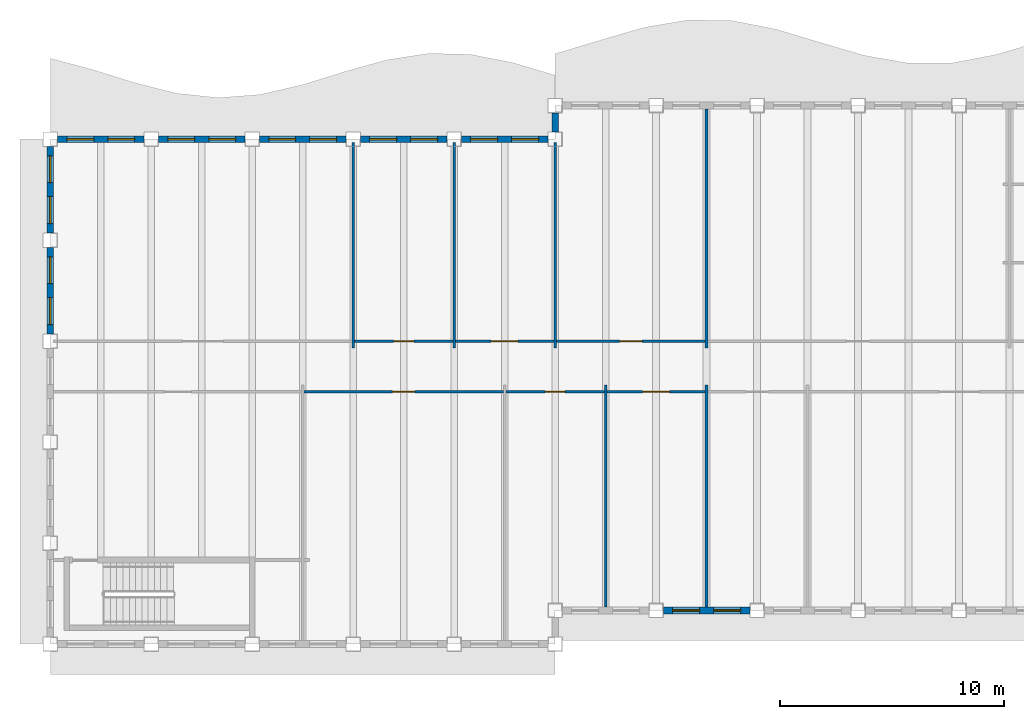
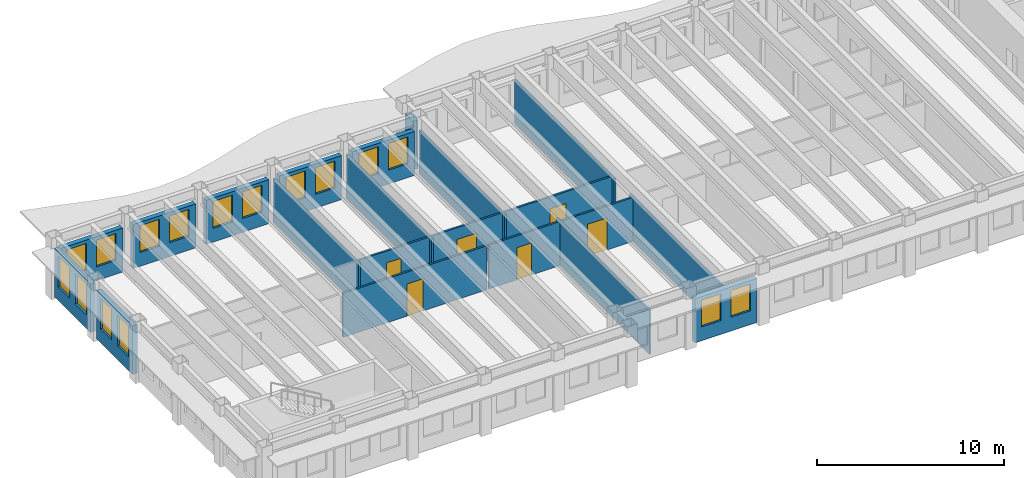
# One storey, part 3 of 12: 21 walls, 16 windows, 6 doors, 22 openings.
"""IFC4 building model written with IfcOpenShell, lengths in metres."""

from ifc_helpers import new_model, si_unit, direction, frame, frame_2d, origin, place, context, subcontext, project, spatial, rectangle, extrude, material, layer, layer_set, type_object, element, fill, save


model = new_model("IFC4")

# Units and contexts
model_context = context("Model", 3, precision=1e-05, world=origin(), true_north=direction((0.0, 1.0)))
body_context = subcontext(model_context, "Body", "Model", "MODEL_VIEW")
ifc_project = project(units=[si_unit("LENGTHUNIT", "METRE"), si_unit("AREAUNIT", "SQUARE_METRE"), si_unit("VOLUMEUNIT", "CUBIC_METRE"), si_unit("PLANEANGLEUNIT", "RADIAN"), si_unit("MASSUNIT", "GRAM", prefix="KILO")], contexts=[model_context])

# Site, building, storey
site_placement = place(None, origin())
site = spatial("IfcSite", under=ifc_project, at=site_placement, CompositionType="ELEMENT")
building_placement = place(site_placement, origin())
building = spatial("IfcBuilding", under=site, at=building_placement, Name="Sennacour Bend Tower", CompositionType="ELEMENT")
storey_placement = place(building_placement, frame((0.0, 0.0, 261.0)))
storey = spatial("IfcBuildingStorey", under=building, at=storey_placement, Name="L60", CompositionType="ELEMENT", Elevation=261.0)

# Walls
ifc_material_1 = material(Name="Plasterboard partition on steel studs", Category="steel")
ifc_layer_1 = layer(ifc_material_1, 0.1201171875, Name="Plasterboard partition on steel studs", Category="steel")
ifc_layer_set_1 = layer_set([ifc_layer_1], Name="Plasterboard partition on steel studs")
wall_type_1 = type_object("IfcWallType", Name="Partition 120", PredefinedType="PARTITIONING", material=ifc_layer_set_1)
for number, where, z_axis, x_axis, name in (
    (1, (13.5, 13.199951171875, 0.0), (0.0, 0.0, 1.0), (0.0, 1.0, 0.0), "P-L60-W005a"),
    (2, (18.0, 13.199951171875, 0.0), (0.0, 0.0, 1.0), (0.0, 1.0, 0.0), "P-L60-W006a"),
    (3, (22.5, 13.199951171875, 0.0), (0.0, 0.0, 1.0), (0.0, 1.0, 0.0), "P-L60-W008a"),
):
    element("IfcWall", number, at=place(storey_placement, frame(where, z_axis=z_axis, x_axis=x_axis)), inside=storey, type_object=wall_type_1, Name=name, PredefinedType="PARTITIONING", context=body_context, shape_type="SweptSolid", body=[
        extrude(rectangle(XDim=9.150146484375, YDim=0.1201171875, at=frame_2d((4.5751953125, 0.0))), origin(), (0.0, 0.0, 1.0), 2.8701171875),
    ])
for number, where, z_axis, x_axis, name in (
    (4, (24.75, 1.64990234375, 0.0), (0.0, 0.0, 1.0), (0.0, 1.0, 0.0), "P-L60-W009a"),
    (5, (29.25, 1.64990234375, 0.0), (0.0, 0.0, 1.0), (0.0, 1.0, 0.0), "P-L60-W010a"),
):
    element("IfcWall", number, at=place(storey_placement, frame(where, z_axis=z_axis, x_axis=x_axis)), inside=storey, type_object=wall_type_1, Name=name, PredefinedType="PARTITIONING", context=body_context, shape_type="SweptSolid", body=[
        extrude(rectangle(XDim=9.900146484375, YDim=0.1201171875, at=frame_2d((4.9501953125, 0.0))), origin(), (0.0, 0.0, 1.0), 2.8701171875),
    ])
wall_1_placement = place(storey_placement, frame((29.25, 13.199951171875, 0.0), z_axis=(0.0, 0.0, 1.0), x_axis=(0.0, 1.0, 0.0)))
element("IfcWall", 6, at=wall_1_placement, inside=storey, type_object=wall_type_1, Name="P-L60-W011a", PredefinedType="PARTITIONING", context=body_context, shape_type="SweptSolid", body=[
    extrude(rectangle(XDim=10.650146484375, YDim=0.1201171875, at=frame_2d((5.3251953125, 0.0))), origin(), (0.0, 0.0, 1.0), 2.8701171875),
])

# Wall, opening, door
wall_2_placement = place(storey_placement, frame((11.31005859375, 11.25, 0.0), z_axis=(0.0, 0.0, 1.0), x_axis=(1.0, 0.0, 0.0)))
wall_2 = element("IfcWall", 7, at=wall_2_placement, inside=storey, type_object=wall_type_1, Name="P-L60-W039ab", PredefinedType="PARTITIONING", context=body_context, shape_type="SweptSolid", body=[
    extrude(rectangle(XDim=8.8798828125, YDim=0.1201171875, at=frame_2d((4.43994140625, 0.0))), origin(), (0.0, 0.0, 1.0), 2.8701171875),
])
opening_1_placement = place(wall_2_placement, frame((3.93994140625, 0.0, 0.0)))
opening_1 = element("IfcOpeningElement", 8, at=opening_1_placement, cuts=wall_2, Name="Opening OD2", PredefinedType="OPENING", context=body_context, shape_type="SweptSolid", body=[
    extrude(rectangle(XDim=1.0, YDim=2.10009765625, at=frame_2d((0.5, 1.050048828125))), frame((0.0, 0.070068359375, 0.0), z_axis=(0.0, -1.0, 0.0), x_axis=(1.0, 0.0, 0.0)), (0.0, 0.0, 1.0), 0.14013671875),
])
ifc_material_2 = material(Name="Timber", Category="wood")
door_type_1 = type_object("IfcDoorType", Name="DR-OFFICE-1000", OperationType="NOTDEFINED", PredefinedType="DOOR", material=ifc_material_2)
door_1_placement = place(opening_1_placement, origin())
door_1 = element("IfcDoor", 9, at=door_1_placement, inside=storey, type_object=door_type_1, Name="Door", OperationType="SINGLE_SWING_LEFT", OverallHeight=2.10009765625, OverallWidth=1.0, PredefinedType="DOOR", context=body_context, shape_type="SweptSolid", body=[
    extrude(rectangle(XDim=1.0, YDim=2.10009765625, at=frame_2d((0.5, 1.050048828125))), frame((0.0, 0.02490234375, 0.0), z_axis=(0.0, -1.0, 0.0), x_axis=(1.0, 0.0, 0.0)), (0.0, 0.0, 1.0), 0.050048828125),
])
fill(opening_1, door_1)

wall_3_placement = place(storey_placement, frame((24.81005859375, 11.25, 0.0), z_axis=(0.0, 0.0, 1.0), x_axis=(1.0, 0.0, 0.0)))
wall_3 = element("IfcWall", 10, at=wall_3_placement, inside=storey, type_object=wall_type_1, Name="P-L60-W039ad", PredefinedType="PARTITIONING", context=body_context, shape_type="SweptSolid", body=[
    extrude(rectangle(XDim=4.3798828125, YDim=0.1201171875, at=frame_2d((2.18994140625, 0.0))), origin(), (0.0, 0.0, 1.0), 2.8701171875),
])
opening_2_placement = place(wall_3_placement, frame((1.58984375, 0.0, 0.0)))
opening_2 = element("IfcOpeningElement", 11, at=opening_2_placement, cuts=wall_3, Name="Opening OD", PredefinedType="OPENING", context=body_context, shape_type="SweptSolid", body=[
    extrude(rectangle(XDim=1.199951171875, YDim=2.10009765625, at=frame_2d((0.60009765625, 1.050048828125))), frame((0.0, 0.070068359375, 0.0), z_axis=(0.0, -1.0, 0.0), x_axis=(1.0, 0.0, 0.0)), (0.0, 0.0, 1.0), 0.14013671875),
])
door_type_2 = type_object("IfcDoorType", Name="DR-OFFICE-1200", OperationType="NOTDEFINED", PredefinedType="DOOR", material=ifc_material_2)
door_2_placement = place(opening_2_placement, origin())
door_2 = element("IfcDoor", 12, at=door_2_placement, inside=storey, type_object=door_type_2, Name="Door", OperationType="SINGLE_SWING_LEFT", OverallHeight=2.10009765625, OverallWidth=1.199951171875, PredefinedType="DOOR", context=body_context, shape_type="SweptSolid", body=[
    extrude(rectangle(XDim=1.199951171875, YDim=2.10009765625, at=frame_2d((0.60009765625, 1.050048828125))), frame((0.0, 0.02490234375, 0.0), z_axis=(0.0, -1.0, 0.0), x_axis=(1.0, 0.0, 0.0)), (0.0, 0.0, 1.0), 0.050048828125),
])
fill(opening_2, door_2)

wall_4_placement = place(storey_placement, frame((18.06005859375, 13.5, 0.0), z_axis=(0.0, 0.0, 1.0), x_axis=(1.0, 0.0, 0.0)))
wall_4 = element("IfcWall", 13, at=wall_4_placement, inside=storey, type_object=wall_type_1, Name="P-L60-W041ac", PredefinedType="PARTITIONING", context=body_context, shape_type="SweptSolid", body=[
    extrude(rectangle(XDim=4.3798828125, YDim=0.1201171875, at=frame_2d((2.18994140625, 0.0))), origin(), (0.0, 0.0, 1.0), 2.8701171875),
])
opening_3_placement = place(wall_4_placement, frame((1.58984375, 0.0, 0.0)))
opening_3 = element("IfcOpeningElement", 14, at=opening_3_placement, cuts=wall_4, Name="Opening OD", PredefinedType="OPENING", context=body_context, shape_type="SweptSolid", body=[
    extrude(rectangle(XDim=1.199951171875, YDim=2.10009765625, at=frame_2d((0.60009765625, 1.050048828125))), frame((0.0, 0.070068359375, 0.0), z_axis=(0.0, -1.0, 0.0), x_axis=(1.0, 0.0, 0.0)), (0.0, 0.0, 1.0), 0.14013671875),
])
door_3_placement = place(opening_3_placement, origin())
door_3 = element("IfcDoor", 15, at=door_3_placement, inside=storey, type_object=door_type_2, Name="Door", OperationType="SINGLE_SWING_LEFT", OverallHeight=2.10009765625, OverallWidth=1.199951171875, PredefinedType="DOOR", context=body_context, shape_type="SweptSolid", body=[
    extrude(rectangle(XDim=1.199951171875, YDim=2.10009765625, at=frame_2d((0.60009765625, 1.050048828125))), frame((0.0, 0.02490234375, 0.0), z_axis=(0.0, -1.0, 0.0), x_axis=(1.0, 0.0, 0.0)), (0.0, 0.0, 1.0), 0.050048828125),
])
fill(opening_3, door_3)

wall_5_placement = place(storey_placement, frame((22.56005859375, 13.5, 0.0), z_axis=(0.0, 0.0, 1.0), x_axis=(1.0, 0.0, 0.0)))
wall_5 = element("IfcWall", 16, at=wall_5_placement, inside=storey, type_object=wall_type_1, Name="P-L60-W041ad", PredefinedType="PARTITIONING", context=body_context, shape_type="SweptSolid", body=[
    extrude(rectangle(XDim=6.6298828125, YDim=0.1201171875, at=frame_2d((3.31494140625, 0.0))), origin(), (0.0, 0.0, 1.0), 2.8701171875),
])
opening_4_placement = place(wall_5_placement, frame((2.81494140625, 0.0, 0.0)))
opening_4 = element("IfcOpeningElement", 17, at=opening_4_placement, cuts=wall_5, Name="Opening OD2", PredefinedType="OPENING", context=body_context, shape_type="SweptSolid", body=[
    extrude(rectangle(XDim=1.0, YDim=2.10009765625, at=frame_2d((0.5, 1.050048828125))), frame((0.0, 0.070068359375, 0.0), z_axis=(0.0, -1.0, 0.0), x_axis=(1.0, 0.0, 0.0)), (0.0, 0.0, 1.0), 0.14013671875),
])
door_4_placement = place(opening_4_placement, origin())
door_4 = element("IfcDoor", 18, at=door_4_placement, inside=storey, type_object=door_type_1, Name="Door", OperationType="SINGLE_SWING_LEFT", OverallHeight=2.10009765625, OverallWidth=1.0, PredefinedType="DOOR", context=body_context, shape_type="SweptSolid", body=[
    extrude(rectangle(XDim=1.0, YDim=2.10009765625, at=frame_2d((0.5, 1.050048828125))), frame((0.0, 0.02490234375, 0.0), z_axis=(0.0, -1.0, 0.0), x_axis=(1.0, 0.0, 0.0)), (0.0, 0.0, 1.0), 0.050048828125),
])
fill(opening_4, door_4)

ifc_layer_2 = layer(ifc_material_1, 0.1201171875, Name="Plasterboard partition on steel studs", Category="steel")
ifc_layer_set_2 = layer_set([ifc_layer_2], Name="Plasterboard partition on steel studs")
wall_type_2 = type_object("IfcWallType", Name="Partition 120 EI 60", PredefinedType="PARTITIONING", material=ifc_layer_set_2)
wall_6_placement = place(storey_placement, frame((20.31005859375, 11.25, 0.0), z_axis=(0.0, 0.0, 1.0), x_axis=(1.0, 0.0, 0.0)))
wall_6 = element("IfcWall", 19, at=wall_6_placement, inside=storey, type_object=wall_type_2, Name="P-L60-W039ac", PredefinedType="PARTITIONING", context=body_context, shape_type="SweptSolid", body=[
    extrude(rectangle(XDim=4.3798828125, YDim=0.1201171875, at=frame_2d((2.18994140625, 0.0))), origin(), (0.0, 0.0, 1.0), 2.8701171875),
])
opening_5_placement = place(wall_6_placement, frame((1.739990234375, 0.0, 0.0)))
opening_5 = element("IfcOpeningElement", 20, at=opening_5_placement, cuts=wall_6, Name="Opening SV", PredefinedType="OPENING", context=body_context, shape_type="SweptSolid", body=[
    extrude(rectangle(XDim=0.89990234375, YDim=2.10009765625, at=frame_2d((0.449951171875, 1.050048828125))), frame((0.0, 0.070068359375, 0.0), z_axis=(0.0, -1.0, 0.0), x_axis=(1.0, 0.0, 0.0)), (0.0, 0.0, 1.0), 0.14013671875),
])
ifc_material_3 = material(Name="Painted steel", Category="steel")
door_type_3 = type_object("IfcDoorType", Name="DR-SERVICE-900", OperationType="NOTDEFINED", PredefinedType="DOOR", material=ifc_material_3)
door_5_placement = place(opening_5_placement, origin())
door_5 = element("IfcDoor", 21, at=door_5_placement, inside=storey, type_object=door_type_3, Name="Door", OperationType="SINGLE_SWING_LEFT", OverallHeight=2.10009765625, OverallWidth=0.89990234375, PredefinedType="DOOR", context=body_context, shape_type="SweptSolid", body=[
    extrude(rectangle(XDim=0.89990234375, YDim=2.10009765625, at=frame_2d((0.449951171875, 1.050048828125))), frame((0.0, 0.02490234375, 0.0), z_axis=(0.0, -1.0, 0.0), x_axis=(1.0, 0.0, 0.0)), (0.0, 0.0, 1.0), 0.050048828125),
])
fill(opening_5, door_5)

wall_7_placement = place(storey_placement, frame((13.56005859375, 13.5, 0.0), z_axis=(0.0, 0.0, 1.0), x_axis=(1.0, 0.0, 0.0)))
wall_7 = element("IfcWall", 22, at=wall_7_placement, inside=storey, type_object=wall_type_2, Name="P-L60-W041ab", PredefinedType="PARTITIONING", context=body_context, shape_type="SweptSolid", body=[
    extrude(rectangle(XDim=4.3798828125, YDim=0.1201171875, at=frame_2d((2.18994140625, 0.0))), origin(), (0.0, 0.0, 1.0), 2.8701171875),
])
opening_6_placement = place(wall_7_placement, frame((1.739990234375, 0.0, 0.0)))
opening_6 = element("IfcOpeningElement", 23, at=opening_6_placement, cuts=wall_7, Name="Opening SV", PredefinedType="OPENING", context=body_context, shape_type="SweptSolid", body=[
    extrude(rectangle(XDim=0.89990234375, YDim=2.10009765625, at=frame_2d((0.449951171875, 1.050048828125))), frame((0.0, 0.070068359375, 0.0), z_axis=(0.0, -1.0, 0.0), x_axis=(1.0, 0.0, 0.0)), (0.0, 0.0, 1.0), 0.14013671875),
])
door_6_placement = place(opening_6_placement, origin())
door_6 = element("IfcDoor", 24, at=door_6_placement, inside=storey, type_object=door_type_3, Name="Door", OperationType="SINGLE_SWING_LEFT", OverallHeight=2.10009765625, OverallWidth=0.89990234375, PredefinedType="DOOR", context=body_context, shape_type="SweptSolid", body=[
    extrude(rectangle(XDim=0.89990234375, YDim=2.10009765625, at=frame_2d((0.449951171875, 1.050048828125))), frame((0.0, 0.02490234375, 0.0), z_axis=(0.0, -1.0, 0.0), x_axis=(1.0, 0.0, 0.0)), (0.0, 0.0, 1.0), 0.050048828125),
])
fill(opening_6, door_6)

# Wall, openings, windows
ifc_material_4 = material(Name="Warm limestone cladding", Category="masonry")
ifc_layer_3 = layer(ifc_material_4, 0.050048828125, Name="Warm limestone cladding", Category="masonry")
ifc_material_5 = material(Name="Precast concrete C40/50", Category="concrete")
ifc_layer_4 = layer(ifc_material_5, 0.25, Name="Precast concrete C40/50", Category="concrete")
ifc_layer_set_3 = layer_set([ifc_layer_3, ifc_layer_4], Name="Precast concrete C40/50 with limestone cladding")
wall_type_3 = type_object("IfcWallType", Name="STONE-CLAD PRECAST SPANDREL 300", PredefinedType="STANDARD", material=ifc_layer_set_3)
wall_8_placement = place(storey_placement, frame((27.324951171875, 1.5, 0.0), z_axis=(0.0, 0.0, 1.0), x_axis=(1.0, 0.0, 0.0)))
wall_8 = element("IfcWall", 25, at=wall_8_placement, inside=storey, type_object=wall_type_3, Name="Stone spandrel and pier wall L60 01.01", PredefinedType="STANDARD", context=body_context, shape_type="SweptSolid", body=[
    extrude(rectangle(XDim=3.85009765625, YDim=0.300048828125, at=frame_2d((1.925048828125, 0.0))), origin(), (0.0, 0.0, 1.0), 2.8701171875),
])
opening_7_placement = place(wall_8_placement, frame((0.41259765625, 0.0, 0.89990234375)))
opening_7 = element("IfcOpeningElement", 26, at=opening_7_placement, cuts=wall_8, Name="Opening W16", PredefinedType="OPENING", context=body_context, shape_type="SweptSolid", body=[
    extrude(rectangle(XDim=1.199951171875, YDim=1.75, at=frame_2d((0.60009765625, 0.875))), frame((0.0, 0.16015625, 0.0), z_axis=(0.0, -1.0, 0.0), x_axis=(1.0, 0.0, 0.0)), (0.0, 0.0, 1.0), 0.320068359375),
])
opening_8_placement = place(wall_8_placement, frame((2.237548828125, 0.0, 0.89990234375)))
opening_8 = element("IfcOpeningElement", 27, at=opening_8_placement, cuts=wall_8, Name="Opening W16", PredefinedType="OPENING", context=body_context, shape_type="SweptSolid", body=[
    extrude(rectangle(XDim=1.199951171875, YDim=1.75, at=frame_2d((0.60009765625, 0.875))), frame((0.0, 0.16015625, 0.0), z_axis=(0.0, -1.0, 0.0), x_axis=(1.0, 0.0, 0.0)), (0.0, 0.0, 1.0), 0.320068359375),
])
ifc_material_6 = material(Name="Clear low-emissivity glass", Category="glass")
window_type_1 = type_object("IfcWindowType", Name="WIN-RIBBON-1200x1750", PartitioningType="SINGLE_PANEL", PredefinedType="WINDOW", material=ifc_material_6)
window_1_placement = place(opening_7_placement, origin())
window_1 = element("IfcWindow", 28, at=window_1_placement, inside=storey, type_object=window_type_1, Name="Ribbon window L60 01.01.0", OverallHeight=1.75, OverallWidth=1.199951171875, PartitioningType="SINGLE_PANEL", PredefinedType="WINDOW", context=body_context, shape_type="SweptSolid", body=[
    extrude(rectangle(XDim=1.199951171875, YDim=1.75, at=frame_2d((0.60009765625, 0.875))), frame((0.0, 0.030029296875, 0.0), z_axis=(0.0, -1.0, 0.0), x_axis=(1.0, 0.0, 0.0)), (0.0, 0.0, 1.0), 0.06005859375),
])
fill(opening_7, window_1)
window_2_placement = place(opening_8_placement, origin())
window_2 = element("IfcWindow", 29, at=window_2_placement, inside=storey, type_object=window_type_1, Name="Ribbon window L60 01.01.1", OverallHeight=1.75, OverallWidth=1.199951171875, PartitioningType="SINGLE_PANEL", PredefinedType="WINDOW", context=body_context, shape_type="SweptSolid", body=[
    extrude(rectangle(XDim=1.199951171875, YDim=1.75, at=frame_2d((0.60009765625, 0.875))), frame((0.0, 0.030029296875, 0.0), z_axis=(0.0, -1.0, 0.0), x_axis=(1.0, 0.0, 0.0)), (0.0, 0.0, 1.0), 0.06005859375),
])
fill(opening_8, window_2)

# Wall
wall_9_placement = place(storey_placement, frame((22.5, 23.675048828125, 0.0), z_axis=(0.0, 0.0, 1.0), x_axis=(0.0, -1.0, 0.0)))
element("IfcWall", 30, at=wall_9_placement, inside=storey, type_object=wall_type_3, Name="Stone spandrel and pier wall L60 08.00", PredefinedType="STANDARD", context=body_context, shape_type="SweptSolid", body=[
    extrude(rectangle(XDim=0.85009765625, YDim=0.300048828125, at=frame_2d((0.425048828125, 0.0))), origin(), (0.0, 0.0, 1.0), 3.162109375),
])

# Wall, openings, windows
wall_10_placement = place(storey_placement, frame((22.175048828125, 22.5, 0.0), z_axis=(0.0, 0.0, 1.0), x_axis=(-1.0, 0.0, 0.0)))
wall_10 = element("IfcWall", 31, at=wall_10_placement, inside=storey, type_object=wall_type_3, Name="Stone spandrel and pier wall L60 09.00", PredefinedType="STANDARD", context=body_context, shape_type="SweptSolid", body=[
    extrude(rectangle(XDim=3.85009765625, YDim=0.300048828125, at=frame_2d((1.925048828125, 0.0))), origin(), (0.0, 0.0, 1.0), 2.8701171875),
])
opening_9_placement = place(wall_10_placement, frame((0.41259765625, 0.0, 0.89990234375)))
opening_9 = element("IfcOpeningElement", 32, at=opening_9_placement, cuts=wall_10, Name="Opening W16", PredefinedType="OPENING", context=body_context, shape_type="SweptSolid", body=[
    extrude(rectangle(XDim=1.199951171875, YDim=1.75, at=frame_2d((0.60009765625, 0.875))), frame((0.0, 0.16015625, 0.0), z_axis=(0.0, -1.0, 0.0), x_axis=(1.0, 0.0, 0.0)), (0.0, 0.0, 1.0), 0.320068359375),
])
opening_10_placement = place(wall_10_placement, frame((2.237548828125, 0.0, 0.89990234375)))
opening_10 = element("IfcOpeningElement", 33, at=opening_10_placement, cuts=wall_10, Name="Opening W16", PredefinedType="OPENING", context=body_context, shape_type="SweptSolid", body=[
    extrude(rectangle(XDim=1.199951171875, YDim=1.75, at=frame_2d((0.60009765625, 0.875))), frame((0.0, 0.16015625, 0.0), z_axis=(0.0, -1.0, 0.0), x_axis=(1.0, 0.0, 0.0)), (0.0, 0.0, 1.0), 0.320068359375),
])
window_3_placement = place(opening_9_placement, origin())
window_3 = element("IfcWindow", 34, at=window_3_placement, inside=storey, type_object=window_type_1, Name="Ribbon window L60 09.00.0", OverallHeight=1.75, OverallWidth=1.199951171875, PartitioningType="SINGLE_PANEL", PredefinedType="WINDOW", context=body_context, shape_type="SweptSolid", body=[
    extrude(rectangle(XDim=1.199951171875, YDim=1.75, at=frame_2d((0.60009765625, 0.875))), frame((0.0, 0.030029296875, 0.0), z_axis=(0.0, -1.0, 0.0), x_axis=(1.0, 0.0, 0.0)), (0.0, 0.0, 1.0), 0.06005859375),
])
fill(opening_9, window_3)
window_4_placement = place(opening_10_placement, origin())
window_4 = element("IfcWindow", 35, at=window_4_placement, inside=storey, type_object=window_type_1, Name="Ribbon window L60 09.00.1", OverallHeight=1.75, OverallWidth=1.199951171875, PartitioningType="SINGLE_PANEL", PredefinedType="WINDOW", context=body_context, shape_type="SweptSolid", body=[
    extrude(rectangle(XDim=1.199951171875, YDim=1.75, at=frame_2d((0.60009765625, 0.875))), frame((0.0, 0.030029296875, 0.0), z_axis=(0.0, -1.0, 0.0), x_axis=(1.0, 0.0, 0.0)), (0.0, 0.0, 1.0), 0.06005859375),
])
fill(opening_10, window_4)

wall_11_placement = place(storey_placement, frame((17.675048828125, 22.5, 0.0), z_axis=(0.0, 0.0, 1.0), x_axis=(-1.0, 0.0, 0.0)))
wall_11 = element("IfcWall", 36, at=wall_11_placement, inside=storey, type_object=wall_type_3, Name="Stone spandrel and pier wall L60 09.01", PredefinedType="STANDARD", context=body_context, shape_type="SweptSolid", body=[
    extrude(rectangle(XDim=3.85009765625, YDim=0.300048828125, at=frame_2d((1.925048828125, 0.0))), origin(), (0.0, 0.0, 1.0), 2.8701171875),
])
opening_11_placement = place(wall_11_placement, frame((0.41259765625, 0.0, 0.89990234375)))
opening_11 = element("IfcOpeningElement", 37, at=opening_11_placement, cuts=wall_11, Name="Opening W16", PredefinedType="OPENING", context=body_context, shape_type="SweptSolid", body=[
    extrude(rectangle(XDim=1.199951171875, YDim=1.75, at=frame_2d((0.60009765625, 0.875))), frame((0.0, 0.16015625, 0.0), z_axis=(0.0, -1.0, 0.0), x_axis=(1.0, 0.0, 0.0)), (0.0, 0.0, 1.0), 0.320068359375),
])
opening_12_placement = place(wall_11_placement, frame((2.237548828125, 0.0, 0.89990234375)))
opening_12 = element("IfcOpeningElement", 38, at=opening_12_placement, cuts=wall_11, Name="Opening W16", PredefinedType="OPENING", context=body_context, shape_type="SweptSolid", body=[
    extrude(rectangle(XDim=1.199951171875, YDim=1.75, at=frame_2d((0.60009765625, 0.875))), frame((0.0, 0.16015625, 0.0), z_axis=(0.0, -1.0, 0.0), x_axis=(1.0, 0.0, 0.0)), (0.0, 0.0, 1.0), 0.320068359375),
])
window_5_placement = place(opening_11_placement, origin())
window_5 = element("IfcWindow", 39, at=window_5_placement, inside=storey, type_object=window_type_1, Name="Ribbon window L60 09.01.0", OverallHeight=1.75, OverallWidth=1.199951171875, PartitioningType="SINGLE_PANEL", PredefinedType="WINDOW", context=body_context, shape_type="SweptSolid", body=[
    extrude(rectangle(XDim=1.199951171875, YDim=1.75, at=frame_2d((0.60009765625, 0.875))), frame((0.0, 0.030029296875, 0.0), z_axis=(0.0, -1.0, 0.0), x_axis=(1.0, 0.0, 0.0)), (0.0, 0.0, 1.0), 0.06005859375),
])
fill(opening_11, window_5)
window_6_placement = place(opening_12_placement, origin())
window_6 = element("IfcWindow", 40, at=window_6_placement, inside=storey, type_object=window_type_1, Name="Ribbon window L60 09.01.1", OverallHeight=1.75, OverallWidth=1.199951171875, PartitioningType="SINGLE_PANEL", PredefinedType="WINDOW", context=body_context, shape_type="SweptSolid", body=[
    extrude(rectangle(XDim=1.199951171875, YDim=1.75, at=frame_2d((0.60009765625, 0.875))), frame((0.0, 0.030029296875, 0.0), z_axis=(0.0, -1.0, 0.0), x_axis=(1.0, 0.0, 0.0)), (0.0, 0.0, 1.0), 0.06005859375),
])
fill(opening_12, window_6)

wall_12_placement = place(storey_placement, frame((13.175048828125, 22.5, 0.0), z_axis=(0.0, 0.0, 1.0), x_axis=(-1.0, 0.0, 0.0)))
wall_12 = element("IfcWall", 41, at=wall_12_placement, inside=storey, type_object=wall_type_3, Name="Stone spandrel and pier wall L60 09.02", PredefinedType="STANDARD", context=body_context, shape_type="SweptSolid", body=[
    extrude(rectangle(XDim=3.85009765625, YDim=0.300048828125, at=frame_2d((1.925048828125, 0.0))), origin(), (0.0, 0.0, 1.0), 2.8701171875),
])
opening_13_placement = place(wall_12_placement, frame((0.41259765625, 0.0, 0.89990234375)))
opening_13 = element("IfcOpeningElement", 42, at=opening_13_placement, cuts=wall_12, Name="Opening W16", PredefinedType="OPENING", context=body_context, shape_type="SweptSolid", body=[
    extrude(rectangle(XDim=1.199951171875, YDim=1.75, at=frame_2d((0.60009765625, 0.875))), frame((0.0, 0.16015625, 0.0), z_axis=(0.0, -1.0, 0.0), x_axis=(1.0, 0.0, 0.0)), (0.0, 0.0, 1.0), 0.320068359375),
])
opening_14_placement = place(wall_12_placement, frame((2.237548828125, 0.0, 0.89990234375)))
opening_14 = element("IfcOpeningElement", 43, at=opening_14_placement, cuts=wall_12, Name="Opening W16", PredefinedType="OPENING", context=body_context, shape_type="SweptSolid", body=[
    extrude(rectangle(XDim=1.199951171875, YDim=1.75, at=frame_2d((0.60009765625, 0.875))), frame((0.0, 0.16015625, 0.0), z_axis=(0.0, -1.0, 0.0), x_axis=(1.0, 0.0, 0.0)), (0.0, 0.0, 1.0), 0.320068359375),
])
window_7_placement = place(opening_13_placement, origin())
window_7 = element("IfcWindow", 44, at=window_7_placement, inside=storey, type_object=window_type_1, Name="Ribbon window L60 09.02.0", OverallHeight=1.75, OverallWidth=1.199951171875, PartitioningType="SINGLE_PANEL", PredefinedType="WINDOW", context=body_context, shape_type="SweptSolid", body=[
    extrude(rectangle(XDim=1.199951171875, YDim=1.75, at=frame_2d((0.60009765625, 0.875))), frame((0.0, 0.030029296875, 0.0), z_axis=(0.0, -1.0, 0.0), x_axis=(1.0, 0.0, 0.0)), (0.0, 0.0, 1.0), 0.06005859375),
])
fill(opening_13, window_7)
window_8_placement = place(opening_14_placement, origin())
window_8 = element("IfcWindow", 45, at=window_8_placement, inside=storey, type_object=window_type_1, Name="Ribbon window L60 09.02.1", OverallHeight=1.75, OverallWidth=1.199951171875, PartitioningType="SINGLE_PANEL", PredefinedType="WINDOW", context=body_context, shape_type="SweptSolid", body=[
    extrude(rectangle(XDim=1.199951171875, YDim=1.75, at=frame_2d((0.60009765625, 0.875))), frame((0.0, 0.030029296875, 0.0), z_axis=(0.0, -1.0, 0.0), x_axis=(1.0, 0.0, 0.0)), (0.0, 0.0, 1.0), 0.06005859375),
])
fill(opening_14, window_8)

wall_13_placement = place(storey_placement, frame((8.675048828125, 22.5, 0.0), z_axis=(0.0, 0.0, 1.0), x_axis=(-1.0, 0.0, 0.0)))
wall_13 = element("IfcWall", 46, at=wall_13_placement, inside=storey, type_object=wall_type_3, Name="Stone spandrel and pier wall L60 09.03", PredefinedType="STANDARD", context=body_context, shape_type="SweptSolid", body=[
    extrude(rectangle(XDim=3.85009765625, YDim=0.300048828125, at=frame_2d((1.925048828125, 0.0))), origin(), (0.0, 0.0, 1.0), 2.8701171875),
])
opening_15_placement = place(wall_13_placement, frame((0.41259765625, 0.0, 0.89990234375)))
opening_15 = element("IfcOpeningElement", 47, at=opening_15_placement, cuts=wall_13, Name="Opening W16", PredefinedType="OPENING", context=body_context, shape_type="SweptSolid", body=[
    extrude(rectangle(XDim=1.199951171875, YDim=1.75, at=frame_2d((0.60009765625, 0.875))), frame((0.0, 0.16015625, 0.0), z_axis=(0.0, -1.0, 0.0), x_axis=(1.0, 0.0, 0.0)), (0.0, 0.0, 1.0), 0.320068359375),
])
opening_16_placement = place(wall_13_placement, frame((2.237548828125, 0.0, 0.89990234375)))
opening_16 = element("IfcOpeningElement", 48, at=opening_16_placement, cuts=wall_13, Name="Opening W16", PredefinedType="OPENING", context=body_context, shape_type="SweptSolid", body=[
    extrude(rectangle(XDim=1.199951171875, YDim=1.75, at=frame_2d((0.60009765625, 0.875))), frame((0.0, 0.16015625, 0.0), z_axis=(0.0, -1.0, 0.0), x_axis=(1.0, 0.0, 0.0)), (0.0, 0.0, 1.0), 0.320068359375),
])
window_9_placement = place(opening_15_placement, origin())
window_9 = element("IfcWindow", 49, at=window_9_placement, inside=storey, type_object=window_type_1, Name="Ribbon window L60 09.03.0", OverallHeight=1.75, OverallWidth=1.199951171875, PartitioningType="SINGLE_PANEL", PredefinedType="WINDOW", context=body_context, shape_type="SweptSolid", body=[
    extrude(rectangle(XDim=1.199951171875, YDim=1.75, at=frame_2d((0.60009765625, 0.875))), frame((0.0, 0.030029296875, 0.0), z_axis=(0.0, -1.0, 0.0), x_axis=(1.0, 0.0, 0.0)), (0.0, 0.0, 1.0), 0.06005859375),
])
fill(opening_15, window_9)
window_10_placement = place(opening_16_placement, origin())
window_10 = element("IfcWindow", 50, at=window_10_placement, inside=storey, type_object=window_type_1, Name="Ribbon window L60 09.03.1", OverallHeight=1.75, OverallWidth=1.199951171875, PartitioningType="SINGLE_PANEL", PredefinedType="WINDOW", context=body_context, shape_type="SweptSolid", body=[
    extrude(rectangle(XDim=1.199951171875, YDim=1.75, at=frame_2d((0.60009765625, 0.875))), frame((0.0, 0.030029296875, 0.0), z_axis=(0.0, -1.0, 0.0), x_axis=(1.0, 0.0, 0.0)), (0.0, 0.0, 1.0), 0.06005859375),
])
fill(opening_16, window_10)

wall_14_placement = place(storey_placement, frame((4.175048828125, 22.5, 0.0), z_axis=(0.0, 0.0, 1.0), x_axis=(-1.0, 0.0, 0.0)))
wall_14 = element("IfcWall", 51, at=wall_14_placement, inside=storey, type_object=wall_type_3, Name="Stone spandrel and pier wall L60 09.04", PredefinedType="STANDARD", context=body_context, shape_type="SweptSolid", body=[
    extrude(rectangle(XDim=3.85009765625, YDim=0.300048828125, at=frame_2d((1.925048828125, 0.0))), origin(), (0.0, 0.0, 1.0), 2.8701171875),
])
opening_17_placement = place(wall_14_placement, frame((0.41259765625, 0.0, 0.89990234375)))
opening_17 = element("IfcOpeningElement", 52, at=opening_17_placement, cuts=wall_14, Name="Opening W16", PredefinedType="OPENING", context=body_context, shape_type="SweptSolid", body=[
    extrude(rectangle(XDim=1.199951171875, YDim=1.75, at=frame_2d((0.60009765625, 0.875))), frame((0.0, 0.16015625, 0.0), z_axis=(0.0, -1.0, 0.0), x_axis=(1.0, 0.0, 0.0)), (0.0, 0.0, 1.0), 0.320068359375),
])
opening_18_placement = place(wall_14_placement, frame((2.237548828125, 0.0, 0.89990234375)))
opening_18 = element("IfcOpeningElement", 53, at=opening_18_placement, cuts=wall_14, Name="Opening W16", PredefinedType="OPENING", context=body_context, shape_type="SweptSolid", body=[
    extrude(rectangle(XDim=1.199951171875, YDim=1.75, at=frame_2d((0.60009765625, 0.875))), frame((0.0, 0.16015625, 0.0), z_axis=(0.0, -1.0, 0.0), x_axis=(1.0, 0.0, 0.0)), (0.0, 0.0, 1.0), 0.320068359375),
])
window_11_placement = place(opening_17_placement, origin())
window_11 = element("IfcWindow", 54, at=window_11_placement, inside=storey, type_object=window_type_1, Name="Ribbon window L60 09.04.0", OverallHeight=1.75, OverallWidth=1.199951171875, PartitioningType="SINGLE_PANEL", PredefinedType="WINDOW", context=body_context, shape_type="SweptSolid", body=[
    extrude(rectangle(XDim=1.199951171875, YDim=1.75, at=frame_2d((0.60009765625, 0.875))), frame((0.0, 0.030029296875, 0.0), z_axis=(0.0, -1.0, 0.0), x_axis=(1.0, 0.0, 0.0)), (0.0, 0.0, 1.0), 0.06005859375),
])
fill(opening_17, window_11)
window_12_placement = place(opening_18_placement, origin())
window_12 = element("IfcWindow", 55, at=window_12_placement, inside=storey, type_object=window_type_1, Name="Ribbon window L60 09.04.1", OverallHeight=1.75, OverallWidth=1.199951171875, PartitioningType="SINGLE_PANEL", PredefinedType="WINDOW", context=body_context, shape_type="SweptSolid", body=[
    extrude(rectangle(XDim=1.199951171875, YDim=1.75, at=frame_2d((0.60009765625, 0.875))), frame((0.0, 0.030029296875, 0.0), z_axis=(0.0, -1.0, 0.0), x_axis=(1.0, 0.0, 0.0)), (0.0, 0.0, 1.0), 0.06005859375),
])
fill(opening_18, window_12)

wall_15_placement = place(storey_placement, frame((0.0, 22.175048828125, 0.0), z_axis=(0.0, 0.0, 1.0), x_axis=(0.0, -1.0, 0.0)))
wall_15 = element("IfcWall", 56, at=wall_15_placement, inside=storey, type_object=wall_type_3, Name="Stone spandrel and pier wall L60 10.00", PredefinedType="STANDARD", context=body_context, shape_type="SweptSolid", body=[
    extrude(rectangle(XDim=3.85009765625, YDim=0.300048828125, at=frame_2d((1.925048828125, 0.0))), origin(), (0.0, 0.0, 1.0), 3.162109375),
])
opening_19_placement = place(wall_15_placement, frame((0.41259765625, 0.0, 0.89990234375)))
opening_19 = element("IfcOpeningElement", 57, at=opening_19_placement, cuts=wall_15, Name="Opening W14", PredefinedType="OPENING", context=body_context, shape_type="SweptSolid", body=[
    extrude(rectangle(XDim=1.199951171875, YDim=2.0, at=frame_2d((0.60009765625, 1.0))), frame((0.0, 0.16015625, 0.0), z_axis=(0.0, -1.0, 0.0), x_axis=(1.0, 0.0, 0.0)), (0.0, 0.0, 1.0), 0.320068359375),
])
opening_20_placement = place(wall_15_placement, frame((2.237548828125, 0.0, 0.89990234375)))
opening_20 = element("IfcOpeningElement", 58, at=opening_20_placement, cuts=wall_15, Name="Opening W14", PredefinedType="OPENING", context=body_context, shape_type="SweptSolid", body=[
    extrude(rectangle(XDim=1.199951171875, YDim=2.0, at=frame_2d((0.60009765625, 1.0))), frame((0.0, 0.16015625, 0.0), z_axis=(0.0, -1.0, 0.0), x_axis=(1.0, 0.0, 0.0)), (0.0, 0.0, 1.0), 0.320068359375),
])
window_type_2 = type_object("IfcWindowType", Name="WIN-RIBBON-1200x2000", PartitioningType="SINGLE_PANEL", PredefinedType="WINDOW", material=ifc_material_6)
window_13_placement = place(opening_19_placement, origin())
window_13 = element("IfcWindow", 59, at=window_13_placement, inside=storey, type_object=window_type_2, Name="Ribbon window L60 10.00.0", OverallHeight=2.0, OverallWidth=1.199951171875, PartitioningType="SINGLE_PANEL", PredefinedType="WINDOW", context=body_context, shape_type="SweptSolid", body=[
    extrude(rectangle(XDim=1.199951171875, YDim=2.0, at=frame_2d((0.60009765625, 1.0))), frame((0.0, 0.030029296875, 0.0), z_axis=(0.0, -1.0, 0.0), x_axis=(1.0, 0.0, 0.0)), (0.0, 0.0, 1.0), 0.06005859375),
])
fill(opening_19, window_13)
window_14_placement = place(opening_20_placement, origin())
window_14 = element("IfcWindow", 60, at=window_14_placement, inside=storey, type_object=window_type_2, Name="Ribbon window L60 10.00.1", OverallHeight=2.0, OverallWidth=1.199951171875, PartitioningType="SINGLE_PANEL", PredefinedType="WINDOW", context=body_context, shape_type="SweptSolid", body=[
    extrude(rectangle(XDim=1.199951171875, YDim=2.0, at=frame_2d((0.60009765625, 1.0))), frame((0.0, 0.030029296875, 0.0), z_axis=(0.0, -1.0, 0.0), x_axis=(1.0, 0.0, 0.0)), (0.0, 0.0, 1.0), 0.06005859375),
])
fill(opening_20, window_14)

wall_16_placement = place(storey_placement, frame((0.0, 17.675048828125, 0.0), z_axis=(0.0, 0.0, 1.0), x_axis=(0.0, -1.0, 0.0)))
wall_16 = element("IfcWall", 61, at=wall_16_placement, inside=storey, type_object=wall_type_3, Name="Stone spandrel and pier wall L60 10.01", PredefinedType="STANDARD", context=body_context, shape_type="SweptSolid", body=[
    extrude(rectangle(XDim=3.85009765625, YDim=0.300048828125, at=frame_2d((1.925048828125, 0.0))), origin(), (0.0, 0.0, 1.0), 3.162109375),
])
opening_21_placement = place(wall_16_placement, frame((0.41259765625, 0.0, 0.89990234375)))
opening_21 = element("IfcOpeningElement", 62, at=opening_21_placement, cuts=wall_16, Name="Opening W14", PredefinedType="OPENING", context=body_context, shape_type="SweptSolid", body=[
    extrude(rectangle(XDim=1.199951171875, YDim=2.0, at=frame_2d((0.60009765625, 1.0))), frame((0.0, 0.16015625, 0.0), z_axis=(0.0, -1.0, 0.0), x_axis=(1.0, 0.0, 0.0)), (0.0, 0.0, 1.0), 0.320068359375),
])
opening_22_placement = place(wall_16_placement, frame((2.237548828125, 0.0, 0.89990234375)))
opening_22 = element("IfcOpeningElement", 63, at=opening_22_placement, cuts=wall_16, Name="Opening W14", PredefinedType="OPENING", context=body_context, shape_type="SweptSolid", body=[
    extrude(rectangle(XDim=1.199951171875, YDim=2.0, at=frame_2d((0.60009765625, 1.0))), frame((0.0, 0.16015625, 0.0), z_axis=(0.0, -1.0, 0.0), x_axis=(1.0, 0.0, 0.0)), (0.0, 0.0, 1.0), 0.320068359375),
])
window_15_placement = place(opening_21_placement, origin())
window_15 = element("IfcWindow", 64, at=window_15_placement, inside=storey, type_object=window_type_2, Name="Ribbon window L60 10.01.0", OverallHeight=2.0, OverallWidth=1.199951171875, PartitioningType="SINGLE_PANEL", PredefinedType="WINDOW", context=body_context, shape_type="SweptSolid", body=[
    extrude(rectangle(XDim=1.199951171875, YDim=2.0, at=frame_2d((0.60009765625, 1.0))), frame((0.0, 0.030029296875, 0.0), z_axis=(0.0, -1.0, 0.0), x_axis=(1.0, 0.0, 0.0)), (0.0, 0.0, 1.0), 0.06005859375),
])
fill(opening_21, window_15)
window_16_placement = place(opening_22_placement, origin())
window_16 = element("IfcWindow", 65, at=window_16_placement, inside=storey, type_object=window_type_2, Name="Ribbon window L60 10.01.1", OverallHeight=2.0, OverallWidth=1.199951171875, PartitioningType="SINGLE_PANEL", PredefinedType="WINDOW", context=body_context, shape_type="SweptSolid", body=[
    extrude(rectangle(XDim=1.199951171875, YDim=2.0, at=frame_2d((0.60009765625, 1.0))), frame((0.0, 0.030029296875, 0.0), z_axis=(0.0, -1.0, 0.0), x_axis=(1.0, 0.0, 0.0)), (0.0, 0.0, 1.0), 0.06005859375),
])
fill(opening_22, window_16)

save(model, "model.ifc")
